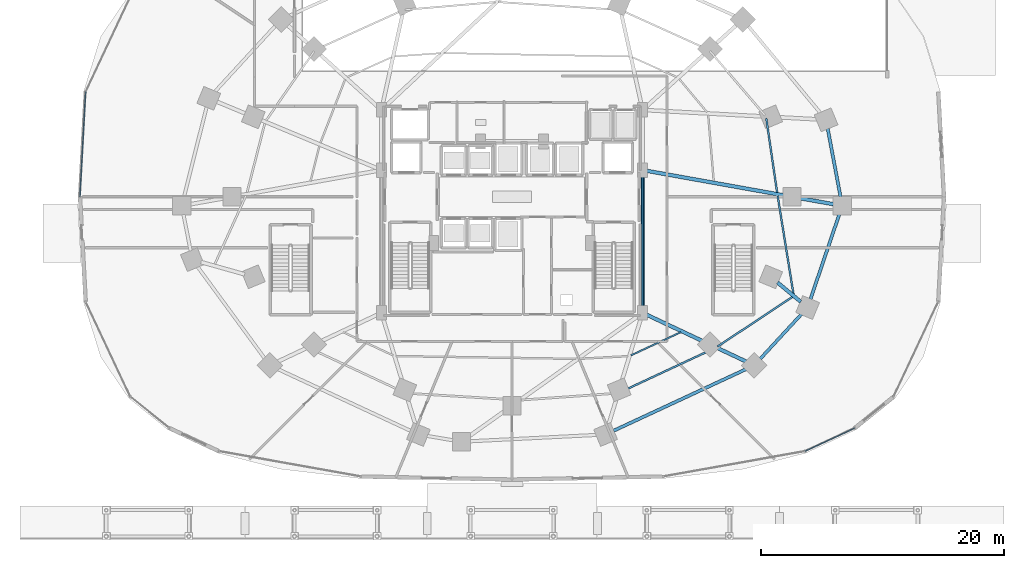
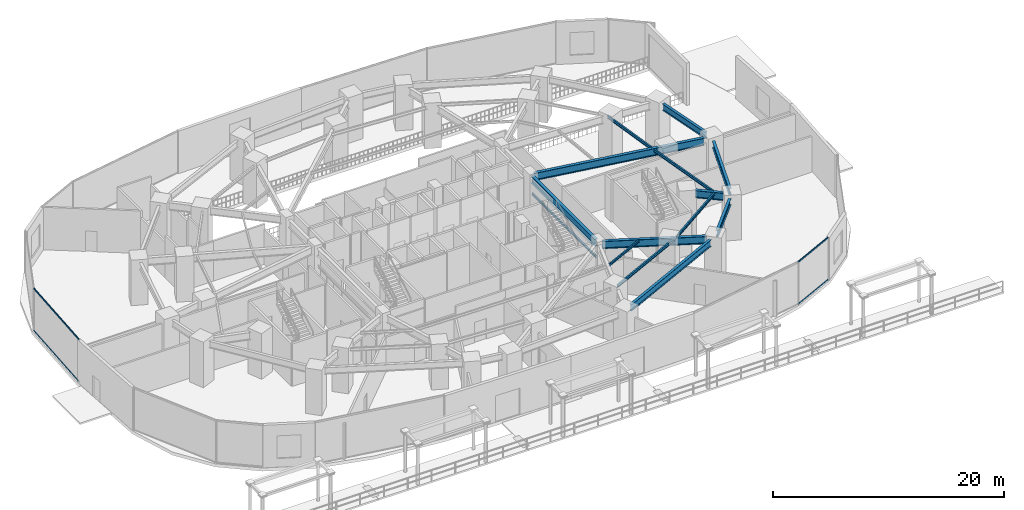
# One storey, part 13 of 36: 14 beams, 4 members, 2 elements without a shape of their own.
"""IFC4 building model written with IfcOpenShell, lengths in metres."""

from ifc_helpers import new_model, si_unit, direction, frame, origin, origin_2d, place, context, subcontext, project, spatial, hollow_rectangle, i_section, extrude, material, material_profile, profile_set, type_object, element, aggregate, save


model = new_model("IFC4")

# Units and contexts
model_context = context("Model", 3, precision=1e-05, world=origin(), true_north=direction((0.0, 1.0)))
body_context = subcontext(model_context, "Body", "Model", "MODEL_VIEW")
ifc_project = project(units=[si_unit("LENGTHUNIT", "METRE"), si_unit("AREAUNIT", "SQUARE_METRE"), si_unit("VOLUMEUNIT", "CUBIC_METRE"), si_unit("PLANEANGLEUNIT", "RADIAN"), si_unit("MASSUNIT", "GRAM", prefix="KILO")], contexts=[model_context])

# Site, building, storey
site_placement = place(None, origin())
site = spatial("IfcSite", under=ifc_project, at=site_placement, CompositionType="ELEMENT")
building_placement = place(site_placement, origin())
building = spatial("IfcBuilding", under=site, at=building_placement, Name="Vorneva Point Tower", CompositionType="ELEMENT")
storey_placement = place(building_placement, origin())
storey = spatial("IfcBuildingStorey", under=building, at=storey_placement, Name="L00", CompositionType="ELEMENT", Elevation=0.0)

# Beams
ifc_material_1 = material(Name="Steel S355", Category="steel")
ifc_material_profile_1 = material_profile(ifc_material_1, i_section(OverallWidth=0.300048828125, OverallDepth=0.7880859375, WebThickness=0.014404296875, FlangeThickness=0.02197265625, at=origin_2d()), Name="80Sh1")
ifc_profile_set_1 = profile_set([ifc_material_profile_1], Name="Steel S355")
beam_type_1 = type_object("IfcBeamType", Name="BM-GRD-80Sh1", PredefinedType="USERDEFINED", material=ifc_profile_set_1)
beam_1_placement = place(storey_placement, frame((64.45556640625, 25.390869140625, 4.0859375), z_axis=(-0.984377963628, 0.176068238829, 0.0), x_axis=(-0.176068238829, -0.984377963628, 0.0)))
element("IfcBeam", 1, at=beam_1_placement, inside=storey, type_object=beam_type_1, Name="L00 Radial Primary Girder 01", ObjectType="GIRDER", PredefinedType="USERDEFINED", context=body_context, shape_type="SweptSolid", body=[
    extrude(i_section(OverallWidth=0.300048828125, OverallDepth=0.7880859375, WebThickness=0.014404296875, FlangeThickness=0.02197265625, at=origin_2d()), origin(), (0.0, 0.0, 1.0), 15.61474609375),
])
beam_2_placement = place(storey_placement, frame((57.27099609375, 12.4384765625, 4.0859375), z_axis=(-0.90475164766, 0.425939498117, 0.0), x_axis=(-0.425939498117, -0.90475164766, 0.0)))
element("IfcBeam", 2, at=beam_2_placement, inside=storey, type_object=beam_type_1, Name="L00 Radial Primary Girder 15", ObjectType="GIRDER", PredefinedType="USERDEFINED", context=body_context, shape_type="SweptSolid", body=[
    extrude(i_section(OverallWidth=0.300048828125, OverallDepth=0.7880859375, WebThickness=0.014404296875, FlangeThickness=0.02197265625, at=origin_2d()), origin(), (0.0, 0.0, 1.0), 9.078125),
])
beam_3_placement = place(storey_placement, frame((61.767822265625, 17.35888671875, 4.0859375), z_axis=(-0.768431084561, 0.63993254979, 0.0), x_axis=(-0.63993254979, -0.768431084561, 0.0)))
element("IfcBeam", 3, at=beam_3_placement, inside=storey, type_object=beam_type_1, Name="L00 Radial Primary Girder 16", ObjectType="GIRDER", PredefinedType="USERDEFINED", context=body_context, shape_type="SweptSolid", body=[
    extrude(i_section(OverallWidth=0.300048828125, OverallDepth=0.7880859375, WebThickness=0.014404296875, FlangeThickness=0.02197265625, at=origin_2d()), origin(), (0.0, 0.0, 1.0), 2.4794921875),
])
beam_4_placement = place(storey_placement, frame((48.75, 16.77001953125, 4.0859375), z_axis=(0.0, 1.0, 0.0), x_axis=(-1.0, 0.0, 0.0)))
element("IfcBeam", 4, at=beam_4_placement, inside=storey, type_object=beam_type_1, Name="L00 Core Tie Girder CT3", ObjectType="GIRDER", PredefinedType="USERDEFINED", context=body_context, shape_type="SweptSolid", body=[
    extrude(i_section(OverallWidth=0.300048828125, OverallDepth=0.7880859375, WebThickness=0.014404296875, FlangeThickness=0.02197265625, at=origin_2d()), origin(), (0.0, 0.0, 1.0), 11.10986328125),
])
ifc_material_profile_2 = material_profile(ifc_material_1, i_section(OverallWidth=0.1240234375, OverallDepth=0.248046875, WebThickness=0.0048828125, FlangeThickness=0.008056640625, at=origin_2d()), Name="25B1")
ifc_profile_set_2 = profile_set([ifc_material_profile_2], Name="Steel S355")
beam_type_2 = type_object("IfcBeamType", Name="BM-JST-25B1", PredefinedType="JOIST", material=ifc_profile_set_2)
beam_5_placement = place(storey_placement, frame((47.792236328125, 12.948974609375, 4.35595703125), z_axis=(0.906691801688, 0.421793760921, 0.0), x_axis=(-0.421793760921, 0.906691801688, 0.0)))
element("IfcBeam", 5, at=beam_5_placement, inside=storey, type_object=beam_type_2, Name="L00 Secondary Floor Beam 2.14", PredefinedType="JOIST", context=body_context, shape_type="SweptSolid", body=[
    extrude(i_section(OverallWidth=0.1240234375, OverallDepth=0.248046875, WebThickness=0.0048828125, FlangeThickness=0.008056640625, at=origin_2d()), origin(), (0.0, 0.0, 1.0), 4.518798828125),
])
ifc_material_profile_3 = material_profile(ifc_material_1, i_section(OverallWidth=0.14892578125, OverallDepth=0.298095703125, WebThickness=0.005615234375, FlangeThickness=0.008056640625, at=origin_2d()), Name="30B1")
ifc_profile_set_3 = profile_set([ifc_material_profile_3], Name="Steel S355")
beam_type_3 = type_object("IfcBeamType", Name="BM-JST-30B1", PredefinedType="JOIST", material=ifc_profile_set_3)
beam_6_placement = place(storey_placement, frame((59.82421875, 26.35205078125, 4.3310546875), z_axis=(-0.144838803728, 0.989455264747, 0.0), x_axis=(-0.989455264747, -0.144838803728, 0.0)))
element("IfcBeam", 6, at=beam_6_placement, inside=storey, type_object=beam_type_3, Name="L00 Secondary Floor Beam 1.01", PredefinedType="JOIST", context=body_context, shape_type="SweptSolid", body=[
    extrude(i_section(OverallWidth=0.14892578125, OverallDepth=0.298095703125, WebThickness=0.005615234375, FlangeThickness=0.008056640625, at=origin_2d()), origin(), (0.0, 0.0, 1.0), 6.179443359375),
])
beam_7_placement = place(storey_placement, frame((46.86279296875, 9.89453125, 4.3310546875), z_axis=(0.906323344433, 0.422584897193, 0.0), x_axis=(-0.422584897193, 0.906323344433, 0.0)))
element("IfcBeam", 7, at=beam_7_placement, inside=storey, type_object=beam_type_3, Name="L00 Secondary Floor Beam 1.14", PredefinedType="JOIST", context=body_context, shape_type="SweptSolid", body=[
    extrude(i_section(OverallWidth=0.14892578125, OverallDepth=0.298095703125, WebThickness=0.005615234375, FlangeThickness=0.008056640625, at=origin_2d()), origin(), (0.0, 0.0, 1.0), 8.627197265625),
])
beam_8_placement = place(storey_placement, frame((54.922119140625, 13.6748046875, 4.3310546875), z_axis=(0.833445351923, 0.552601886857, 0.0), x_axis=(-0.552601886857, 0.833445351923, 0.0)))
element("IfcBeam", 8, at=beam_8_placement, inside=storey, type_object=beam_type_3, Name="L00 Secondary Floor Beam 1.15", PredefinedType="JOIST", context=body_context, shape_type="SweptSolid", body=[
    extrude(i_section(OverallWidth=0.14892578125, OverallDepth=0.298095703125, WebThickness=0.005615234375, FlangeThickness=0.008056640625, at=origin_2d()), origin(), (0.0, 0.0, 1.0), 7.39013671875),
])
beam_9_placement = place(storey_placement, frame((61.17431640625, 17.970947265625, 4.3310546875), z_axis=(-0.15926795227, 0.987235392082, 0.0), x_axis=(-0.987235392082, -0.15926795227, 0.0)))
element("IfcBeam", 9, at=beam_9_placement, inside=storey, type_object=beam_type_3, Name="L00 Secondary Floor Beam 1.16", PredefinedType="JOIST", context=body_context, shape_type="SweptSolid", body=[
    extrude(i_section(OverallWidth=0.14892578125, OverallDepth=0.298095703125, WebThickness=0.005615234375, FlangeThickness=0.008056640625, at=origin_2d()), origin(), (0.0, 0.0, 1.0), 8.213134765625),
])
ifc_material_profile_4 = material_profile(ifc_material_1, i_section(OverallWidth=0.1240234375, OverallDepth=0.248046875, WebThickness=0.0048828125, FlangeThickness=0.008056640625, at=origin_2d()), Name="25B1")
ifc_profile_set_4 = profile_set([ifc_material_profile_4], Name="Steel S355")
beam_type_4 = type_object("IfcBeamType", Name="BM-LNT-25B1", PredefinedType="LINTEL", material=ifc_profile_set_4)
beam_10_placement = place(storey_placement, frame((48.75, 16.7900390625, 2.550048828125), z_axis=(0.0, 1.0, 0.0), x_axis=(-1.0, 0.0, 0.0)))
element("IfcBeam", 10, at=beam_10_placement, inside=storey, type_object=beam_type_4, Name="L00 Core Opening Lintel Beam E", PredefinedType="LINTEL", context=body_context, shape_type="SweptSolid", body=[
    extrude(i_section(OverallWidth=0.1240234375, OverallDepth=0.248046875, WebThickness=0.0048828125, FlangeThickness=0.008056640625, at=origin_2d()), origin(), (0.0, 0.0, 1.0), 11.070068359375),
])
ifc_material_profile_5 = material_profile(ifc_material_1, i_section(OverallWidth=0.260009765625, OverallDepth=0.69091796875, WebThickness=0.011962890625, FlangeThickness=0.015380859375, at=origin_2d()), Name="70B1")
ifc_profile_set_5 = profile_set([ifc_material_profile_5], Name="Steel S355")
beam_type_5 = type_object("IfcBeamType", Name="BM-SPN-70B1", PredefinedType="SPANDREL", material=ifc_profile_set_5)
beam_11_placement = place(storey_placement, frame((65.046630859375, 25.9833984375, 4.134521484375), z_axis=(-0.184432616026, 0.982845160819, 0.0), x_axis=(-0.982845160819, -0.184432616026, 0.0)))
element("IfcBeam", 11, at=beam_11_placement, inside=storey, type_object=beam_type_5, Name="L00 Perimeter Spandrel Ring Beam 01", PredefinedType="SPANDREL", context=body_context, shape_type="SweptSolid", body=[
    extrude(i_section(OverallWidth=0.260009765625, OverallDepth=0.69091796875, WebThickness=0.011962890625, FlangeThickness=0.015380859375, at=origin_2d()), origin(), (0.0, 0.0, 1.0), 5.729248046875),
])
beam_12_placement = place(storey_placement, frame((46.36962890625, 6.7451171875, 4.134521484375), z_axis=(0.906780872519, 0.421602240547, 0.0), x_axis=(-0.421602240547, 0.906780872519, 0.0)))
element("IfcBeam", 12, at=beam_12_placement, inside=storey, type_object=beam_type_5, Name="L00 Perimeter Spandrel Ring Beam 14", PredefinedType="SPANDREL", context=body_context, shape_type="SweptSolid", body=[
    extrude(i_section(OverallWidth=0.260009765625, OverallDepth=0.69091796875, WebThickness=0.011962890625, FlangeThickness=0.015380859375, at=origin_2d()), origin(), (0.0, 0.0, 1.0), 12.0234375),
])
beam_13_placement = place(storey_placement, frame((58.437255859375, 12.664306640625, 4.134521484375), z_axis=(0.678284149777, 0.734799708874, 0.0), x_axis=(-0.734799708874, 0.678284149777, 0.0)))
element("IfcBeam", 13, at=beam_13_placement, inside=storey, type_object=beam_type_5, Name="L00 Perimeter Spandrel Ring Beam 15", PredefinedType="SPANDREL", context=body_context, shape_type="SweptSolid", body=[
    extrude(i_section(OverallWidth=0.260009765625, OverallDepth=0.69091796875, WebThickness=0.011962890625, FlangeThickness=0.015380859375, at=origin_2d()), origin(), (0.0, 0.0, 1.0), 5.010986328125),
])
beam_14_placement = place(storey_placement, frame((62.571533203125, 17.58251953125, 4.134521484375), z_axis=(0.321902733239, 0.94677274482, 0.0), x_axis=(-0.94677274482, 0.321902733239, 0.0)))
element("IfcBeam", 14, at=beam_14_placement, inside=storey, type_object=beam_type_5, Name="L00 Perimeter Spandrel Ring Beam 16", PredefinedType="SPANDREL", context=body_context, shape_type="SweptSolid", body=[
    extrude(i_section(OverallWidth=0.260009765625, OverallDepth=0.69091796875, WebThickness=0.011962890625, FlangeThickness=0.015380859375, at=origin_2d()), origin(), (0.0, 0.0, 1.0), 7.375),
])

# Curtain wall, members
ifc_material_2 = material(Name="Pale anodised aluminium", Category="aluminium")
curtain_wall_type = type_object("IfcCurtainWallType", Name="CW-POD-SYS", PredefinedType="NOTDEFINED", material=ifc_material_2)
curtain_wall_1_placement = place(storey_placement, origin())
curtain_wall_1 = element("IfcCurtainWall", 15, at=curtain_wall_1_placement, inside=storey, type_object=curtain_wall_type, Name="L00 Unitised Curtain Wall CW-L00-R04", PredefinedType="NOTDEFINED")
ifc_material_profile_6 = material_profile(ifc_material_2, hollow_rectangle(XDim=0.074951171875, YDim=0.14990234375, WallThickness=0.00390625, at=origin_2d()), Name="AL-TRN 150x75x4")
ifc_profile_set_6 = profile_set([ifc_material_profile_6], Name="Pale anodised aluminium")
member_type = type_object("IfcMemberType", Name="CW-TRN-150", PredefinedType="USERDEFINED", material=ifc_profile_set_6)
member_1_placement = place(storey_placement, frame((2.902587890625, 34.630126953125, 0.02001953125), z_axis=(-0.054179266439, -0.998531224894, 0.0), x_axis=(0.998531224894, -0.054179266439, 0.0)))
member_1 = element("IfcMember", 16, at=member_1_placement, type_object=member_type, Name="CW-L00-R04 Transom 02.1", ObjectType="TRANSOM", PredefinedType="USERDEFINED", context=body_context, shape_type="SweptSolid", body=[
    extrude(hollow_rectangle(XDim=0.074951171875, YDim=0.14990234375, WallThickness=0.00390625, at=origin_2d()), origin(), (0.0, 0.0, 1.0), 8.642822265625),
])
member_2_placement = place(storey_placement, frame((2.902587890625, 34.630126953125, 4.4599609375), z_axis=(-0.054179266439, -0.998531224894, 0.0), x_axis=(0.998531224894, -0.054179266439, 0.0)))
member_2 = element("IfcMember", 17, at=member_2_placement, type_object=member_type, Name="CW-L00-R04 Transom 02.2", ObjectType="TRANSOM", PredefinedType="USERDEFINED", context=body_context, shape_type="SweptSolid", body=[
    extrude(hollow_rectangle(XDim=0.074951171875, YDim=0.14990234375, WallThickness=0.00390625, at=origin_2d()), origin(), (0.0, 0.0, 1.0), 8.642822265625),
])
aggregate(curtain_wall_1, [member_1, member_2])

curtain_wall_2_placement = place(storey_placement, origin())
curtain_wall_2 = element("IfcCurtainWall", 18, at=curtain_wall_2_placement, inside=storey, type_object=curtain_wall_type, Name="L00 Unitised Curtain Wall CW-L00-R07", PredefinedType="NOTDEFINED")
member_3_placement = place(storey_placement, frame((62.128173828125, 5.056396484375, 0.02001953125), z_axis=(0.90617069541, 0.422912131275, 0.0), x_axis=(-0.422912131275, 0.90617069541, 0.0)))
member_3 = element("IfcMember", 19, at=member_3_placement, type_object=member_type, Name="CW-L00-R07 Transom 02.1", ObjectType="TRANSOM", PredefinedType="USERDEFINED", context=body_context, shape_type="SweptSolid", body=[
    extrude(hollow_rectangle(XDim=0.074951171875, YDim=0.14990234375, WallThickness=0.00390625, at=origin_2d()), origin(), (0.0, 0.0, 1.0), 4.510986328125),
])
member_4_placement = place(storey_placement, frame((62.128173828125, 5.056396484375, 4.4599609375), z_axis=(0.90617069541, 0.422912131275, 0.0), x_axis=(-0.422912131275, 0.90617069541, 0.0)))
member_4 = element("IfcMember", 20, at=member_4_placement, type_object=member_type, Name="CW-L00-R07 Transom 02.2", ObjectType="TRANSOM", PredefinedType="USERDEFINED", context=body_context, shape_type="SweptSolid", body=[
    extrude(hollow_rectangle(XDim=0.074951171875, YDim=0.14990234375, WallThickness=0.00390625, at=origin_2d()), origin(), (0.0, 0.0, 1.0), 4.510986328125),
])
aggregate(curtain_wall_2, [member_3, member_4])

save(model, "model.ifc")
